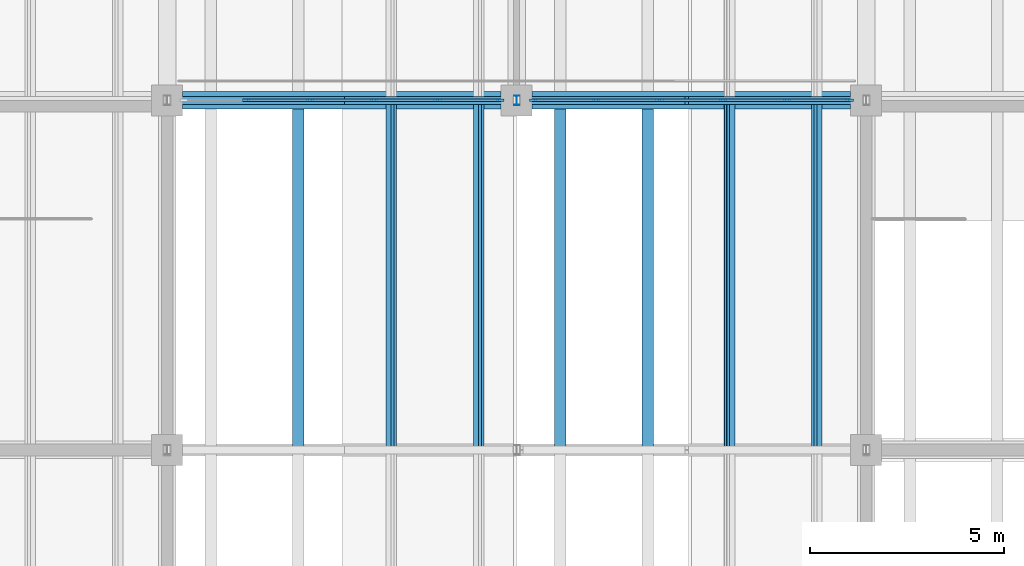
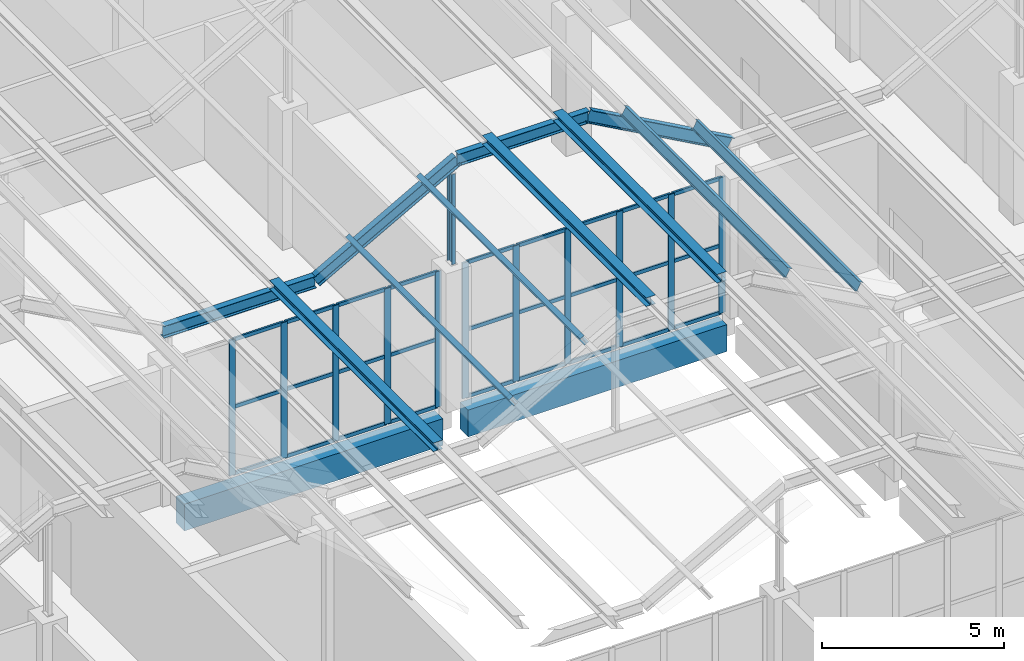
# One storey, part 37 of 437: 50 members, 2 beams, 2 elements without a shape of their own.
"""IFC4 building model written with IfcOpenShell, lengths in metres."""

from ifc_helpers import new_model, si_unit, direction, frame, origin, origin_2d, place, context, subcontext, project, spatial, rectangle, i_section, extrude, material, layer, layer_set, material_profile, profile_set, type_object, element, aggregate, save


model = new_model("IFC4")

# Units and contexts
model_context = context("Model", 3, precision=1e-05, world=origin(), true_north=direction((0.0, 1.0)))
body_context = subcontext(model_context, "Body", "Model", "MODEL_VIEW")
ifc_project = project(units=[si_unit("LENGTHUNIT", "METRE"), si_unit("AREAUNIT", "SQUARE_METRE"), si_unit("VOLUMEUNIT", "CUBIC_METRE"), si_unit("PLANEANGLEUNIT", "RADIAN"), si_unit("MASSUNIT", "GRAM", prefix="KILO")], contexts=[model_context])

# Site, building, storey
site_placement = place(None, origin())
site = spatial("IfcSite", under=ifc_project, at=site_placement, CompositionType="ELEMENT")
building_placement = place(site_placement, origin())
building = spatial("IfcBuilding", under=site, at=building_placement, Name="Opaline Strait Convention Centre", CompositionType="ELEMENT")
storey_placement = place(building_placement, frame((0.0, 0.0, 11.5)))
storey = spatial("IfcBuildingStorey", under=building, at=storey_placement, Name="L02", CompositionType="ELEMENT", Elevation=11.5)

# Members
ifc_material_1 = material(Name="Steel Q355B", Category="steel")
ifc_material_profile_1 = material_profile(ifc_material_1, i_section(OverallWidth=0.300048828125, OverallDepth=0.300048828125, WebThickness=0.010009765625, FlangeThickness=0.014892578125, FilletRadius=0.012939453125, at=origin_2d()), Name="HW 300x300x10x15")
ifc_profile_set_1 = profile_set([ifc_material_profile_1], Name="Steel Q355B")
member_type_1 = type_object("IfcMemberType", Name="Crest purlin HW 300x300x10x15", PredefinedType="PURLIN", material=ifc_profile_set_1)
for number, where, z_axis, x_axis, name in (
    (1, (39.375, 54.0, 5.949951171875), (0.0, 1.0, 0.0), (-1.0, 0.0, 0.0), "RU1 purlin facet 7 line 2"),
    (2, (46.125, 54.0, 8.449951171875), (0.0, 1.0, 0.0), (-1.0, 0.0, 0.0), "RU1 purlin facet 9 line 1"),
    (3, (48.375, 54.0, 8.449951171875), (0.0, 1.0, 0.0), (-1.0, 0.0, 0.0), "RU1 purlin facet 9 line 2"),
):
    element("IfcMember", number, at=place(storey_placement, frame(where, z_axis=z_axis, x_axis=x_axis)), inside=storey, type_object=member_type_1, Name=name, PredefinedType="PURLIN", context=body_context, shape_type="SweptSolid", body=[
        extrude(i_section(OverallWidth=0.300048828125, OverallDepth=0.300048828125, WebThickness=0.010009765625, FlangeThickness=0.014892578125, FilletRadius=0.012939453125, at=origin_2d()), origin(), (0.0, 0.0, 1.0), 9.0),
    ])

# Curtain wall, members
ifc_material_2 = material(Name="Aluminium framed double glazing", Category="aluminium")
ifc_layer = layer(ifc_material_2, 0.199951171875)
ifc_layer_set = layer_set([ifc_layer], Name="Aluminium framed double glazing")
curtain_wall_type = type_object("IfcCurtainWallType", Name="Curtain wall 1500 module", PredefinedType="NOTDEFINED", material=ifc_layer_set)
curtain_wall_1_placement = place(storey_placement, origin())
curtain_wall_1 = element("IfcCurtainWall", 4, at=curtain_wall_1_placement, inside=storey, type_object=curtain_wall_type, Name="L02 court glazing Nc 1", PredefinedType="NOTDEFINED")
ifc_material_3 = material(Name="Aluminium alloy 6063", Category="aluminium")
ifc_material_profile_2 = material_profile(ifc_material_3, rectangle(XDim=0.06005859375, YDim=0.199951171875, at=origin_2d()), Name="Curtain wall mullion 60x200")
ifc_profile_set_2 = profile_set([ifc_material_profile_2], Name="Aluminium alloy 6063")
member_type_2 = type_object("IfcMemberType", Name="Curtain wall mullion 60x200", PredefinedType="MULLION", material=ifc_profile_set_2)
member_1_placement = place(storey_placement, frame((38.0400390625, 63.0, 0.0), z_axis=(0.0, 0.0, 1.0), x_axis=(0.0, 1.0, 0.0)))
member_1 = element("IfcMember", 5, at=member_1_placement, type_object=member_type_2, Name="RCW1 mullion 2", PredefinedType="MULLION", context=body_context, shape_type="SweptSolid", body=[
    extrude(rectangle(XDim=0.06005859375, YDim=0.199951171875, at=origin_2d()), origin(), (0.0, 0.0, 1.0), 4.550048828125),
])
member_2_placement = place(storey_placement, frame((39.679931640625, 63.0, 0.0), z_axis=(0.0, 0.0, 1.0), x_axis=(0.0, 1.0, 0.0)))
member_2 = element("IfcMember", 6, at=member_2_placement, type_object=member_type_2, Name="RCW1 mullion 3", PredefinedType="MULLION", context=body_context, shape_type="SweptSolid", body=[
    extrude(rectangle(XDim=0.06005859375, YDim=0.199951171875, at=origin_2d()), origin(), (0.0, 0.0, 1.0), 4.550048828125),
])
member_3_placement = place(storey_placement, frame((41.320068359375, 63.0, 0.0), z_axis=(0.0, 0.0, 1.0), x_axis=(0.0, 1.0, 0.0)))
member_3 = element("IfcMember", 7, at=member_3_placement, type_object=member_type_2, Name="RCW1 mullion 4", PredefinedType="MULLION", context=body_context, shape_type="SweptSolid", body=[
    extrude(rectangle(XDim=0.06005859375, YDim=0.199951171875, at=origin_2d()), origin(), (0.0, 0.0, 1.0), 4.550048828125),
])
member_4_placement = place(storey_placement, frame((42.9599609375, 63.0, 0.0), z_axis=(0.0, 0.0, 1.0), x_axis=(0.0, 1.0, 0.0)))
member_4 = element("IfcMember", 8, at=member_4_placement, type_object=member_type_2, Name="RCW1 mullion 5", PredefinedType="MULLION", context=body_context, shape_type="SweptSolid", body=[
    extrude(rectangle(XDim=0.06005859375, YDim=0.199951171875, at=origin_2d()), origin(), (0.0, 0.0, 1.0), 4.550048828125),
])
member_5_placement = place(storey_placement, frame((44.570068359375, 63.0, 0.0), z_axis=(0.0, 0.0, 1.0), x_axis=(0.0, 1.0, 0.0)))
member_5 = element("IfcMember", 9, at=member_5_placement, type_object=member_type_2, Name="RCW1 mullion 6", PredefinedType="MULLION", context=body_context, shape_type="SweptSolid", body=[
    extrude(rectangle(XDim=0.06005859375, YDim=0.199951171875, at=origin_2d()), origin(), (0.0, 0.0, 1.0), 4.550048828125),
])

curtain_wall_2_placement = place(storey_placement, origin())
curtain_wall_2 = element("IfcCurtainWall", 10, at=curtain_wall_2_placement, inside=storey, type_object=curtain_wall_type, Name="L02 court glazing Nc 2", PredefinedType="NOTDEFINED")
member_6_placement = place(storey_placement, frame((45.429931640625, 63.0, 0.0), z_axis=(0.0, 0.0, 1.0), x_axis=(0.0, 1.0, 0.0)))
member_6 = element("IfcMember", 11, at=member_6_placement, type_object=member_type_2, Name="RCW1 mullion 1", PredefinedType="MULLION", context=body_context, shape_type="SweptSolid", body=[
    extrude(rectangle(XDim=0.06005859375, YDim=0.199951171875, at=origin_2d()), origin(), (0.0, 0.0, 1.0), 4.550048828125),
])
member_7_placement = place(storey_placement, frame((47.0400390625, 63.0, 0.0), z_axis=(0.0, 0.0, 1.0), x_axis=(0.0, 1.0, 0.0)))
member_7 = element("IfcMember", 12, at=member_7_placement, type_object=member_type_2, Name="RCW1 mullion 2", PredefinedType="MULLION", context=body_context, shape_type="SweptSolid", body=[
    extrude(rectangle(XDim=0.06005859375, YDim=0.199951171875, at=origin_2d()), origin(), (0.0, 0.0, 1.0), 4.550048828125),
])
member_8_placement = place(storey_placement, frame((48.679931640625, 63.0, 0.0), z_axis=(0.0, 0.0, 1.0), x_axis=(0.0, 1.0, 0.0)))
member_8 = element("IfcMember", 13, at=member_8_placement, type_object=member_type_2, Name="RCW1 mullion 3", PredefinedType="MULLION", context=body_context, shape_type="SweptSolid", body=[
    extrude(rectangle(XDim=0.06005859375, YDim=0.199951171875, at=origin_2d()), origin(), (0.0, 0.0, 1.0), 4.550048828125),
])
member_9_placement = place(storey_placement, frame((50.320068359375, 63.0, 0.0), z_axis=(0.0, 0.0, 1.0), x_axis=(0.0, 1.0, 0.0)))
member_9 = element("IfcMember", 14, at=member_9_placement, type_object=member_type_2, Name="RCW1 mullion 4", PredefinedType="MULLION", context=body_context, shape_type="SweptSolid", body=[
    extrude(rectangle(XDim=0.06005859375, YDim=0.199951171875, at=origin_2d()), origin(), (0.0, 0.0, 1.0), 4.550048828125),
])
member_10_placement = place(storey_placement, frame((51.9599609375, 63.0, 0.0), z_axis=(0.0, 0.0, 1.0), x_axis=(0.0, 1.0, 0.0)))
member_10 = element("IfcMember", 15, at=member_10_placement, type_object=member_type_2, Name="RCW1 mullion 5", PredefinedType="MULLION", context=body_context, shape_type="SweptSolid", body=[
    extrude(rectangle(XDim=0.06005859375, YDim=0.199951171875, at=origin_2d()), origin(), (0.0, 0.0, 1.0), 4.550048828125),
])
member_11_placement = place(storey_placement, frame((53.570068359375, 63.0, 0.0), z_axis=(0.0, 0.0, 1.0), x_axis=(0.0, 1.0, 0.0)))
member_11 = element("IfcMember", 16, at=member_11_placement, type_object=member_type_2, Name="RCW1 mullion 6", PredefinedType="MULLION", context=body_context, shape_type="SweptSolid", body=[
    extrude(rectangle(XDim=0.06005859375, YDim=0.199951171875, at=origin_2d()), origin(), (0.0, 0.0, 1.0), 4.550048828125),
])

# Member
ifc_material_profile_3 = material_profile(ifc_material_3, rectangle(XDim=0.06005859375, YDim=0.1201171875, at=origin_2d()), Name="Curtain wall transom 60x120")
ifc_profile_set_3 = profile_set([ifc_material_profile_3], Name="Aluminium alloy 6063")
member_type_3 = type_object("IfcMemberType", Name="Curtain wall transom 60x120", PredefinedType="USERDEFINED", material=ifc_profile_set_3)
member_12_placement = place(storey_placement, frame((38.06982421875, 63.0, 0.030029296875), z_axis=(1.0, 0.0, 0.0), x_axis=(0.0, 1.0, 0.0)))
member_12 = element("IfcMember", 17, at=member_12_placement, type_object=member_type_3, Name="RCW1 transom 2.1", ObjectType="TRANSOM", PredefinedType="USERDEFINED", context=body_context, shape_type="SweptSolid", body=[
    extrude(rectangle(XDim=0.06005859375, YDim=0.1201171875, at=origin_2d()), origin(), (0.0, 0.0, 1.0), 1.580078125),
])

member_13_placement = place(storey_placement, frame((38.06982421875, 63.0, 2.27490234375), z_axis=(1.0, 0.0, 0.0), x_axis=(0.0, 1.0, 0.0)))
member_13 = element("IfcMember", 18, at=member_13_placement, type_object=member_type_3, Name="RCW1 transom 2.2", ObjectType="TRANSOM", PredefinedType="USERDEFINED", context=body_context, shape_type="SweptSolid", body=[
    extrude(rectangle(XDim=0.06005859375, YDim=0.1201171875, at=origin_2d()), origin(), (0.0, 0.0, 1.0), 1.580078125),
])

member_14_placement = place(storey_placement, frame((38.06982421875, 63.0, 4.52001953125), z_axis=(1.0, 0.0, 0.0), x_axis=(0.0, 1.0, 0.0)))
member_14 = element("IfcMember", 19, at=member_14_placement, type_object=member_type_3, Name="RCW1 transom 2.3", ObjectType="TRANSOM", PredefinedType="USERDEFINED", context=body_context, shape_type="SweptSolid", body=[
    extrude(rectangle(XDim=0.06005859375, YDim=0.1201171875, at=origin_2d()), origin(), (0.0, 0.0, 1.0), 1.580078125),
])

member_15_placement = place(storey_placement, frame((39.7099609375, 63.0, 0.030029296875), z_axis=(1.0, 0.0, 0.0), x_axis=(0.0, 1.0, 0.0)))
member_15 = element("IfcMember", 20, at=member_15_placement, type_object=member_type_3, Name="RCW1 transom 3.1", ObjectType="TRANSOM", PredefinedType="USERDEFINED", context=body_context, shape_type="SweptSolid", body=[
    extrude(rectangle(XDim=0.06005859375, YDim=0.1201171875, at=origin_2d()), origin(), (0.0, 0.0, 1.0), 1.580078125),
])

member_16_placement = place(storey_placement, frame((39.7099609375, 63.0, 2.27490234375), z_axis=(1.0, 0.0, 0.0), x_axis=(0.0, 1.0, 0.0)))
member_16 = element("IfcMember", 21, at=member_16_placement, type_object=member_type_3, Name="RCW1 transom 3.2", ObjectType="TRANSOM", PredefinedType="USERDEFINED", context=body_context, shape_type="SweptSolid", body=[
    extrude(rectangle(XDim=0.06005859375, YDim=0.1201171875, at=origin_2d()), origin(), (0.0, 0.0, 1.0), 1.580078125),
])

member_17_placement = place(storey_placement, frame((39.7099609375, 63.0, 4.52001953125), z_axis=(1.0, 0.0, 0.0), x_axis=(0.0, 1.0, 0.0)))
member_17 = element("IfcMember", 22, at=member_17_placement, type_object=member_type_3, Name="RCW1 transom 3.3", ObjectType="TRANSOM", PredefinedType="USERDEFINED", context=body_context, shape_type="SweptSolid", body=[
    extrude(rectangle(XDim=0.06005859375, YDim=0.1201171875, at=origin_2d()), origin(), (0.0, 0.0, 1.0), 1.580078125),
])

member_18_placement = place(storey_placement, frame((41.35009765625, 63.0, 0.030029296875), z_axis=(1.0, 0.0, 0.0), x_axis=(0.0, 1.0, 0.0)))
member_18 = element("IfcMember", 23, at=member_18_placement, type_object=member_type_3, Name="RCW1 transom 4.1", ObjectType="TRANSOM", PredefinedType="USERDEFINED", context=body_context, shape_type="SweptSolid", body=[
    extrude(rectangle(XDim=0.06005859375, YDim=0.1201171875, at=origin_2d()), origin(), (0.0, 0.0, 1.0), 1.580078125),
])

member_19_placement = place(storey_placement, frame((41.35009765625, 63.0, 2.27490234375), z_axis=(1.0, 0.0, 0.0), x_axis=(0.0, 1.0, 0.0)))
member_19 = element("IfcMember", 24, at=member_19_placement, type_object=member_type_3, Name="RCW1 transom 4.2", ObjectType="TRANSOM", PredefinedType="USERDEFINED", context=body_context, shape_type="SweptSolid", body=[
    extrude(rectangle(XDim=0.06005859375, YDim=0.1201171875, at=origin_2d()), origin(), (0.0, 0.0, 1.0), 1.580078125),
])

member_20_placement = place(storey_placement, frame((41.35009765625, 63.0, 4.52001953125), z_axis=(1.0, 0.0, 0.0), x_axis=(0.0, 1.0, 0.0)))
member_20 = element("IfcMember", 25, at=member_20_placement, type_object=member_type_3, Name="RCW1 transom 4.3", ObjectType="TRANSOM", PredefinedType="USERDEFINED", context=body_context, shape_type="SweptSolid", body=[
    extrude(rectangle(XDim=0.06005859375, YDim=0.1201171875, at=origin_2d()), origin(), (0.0, 0.0, 1.0), 1.580078125),
])

member_21_placement = place(storey_placement, frame((42.989990234375, 63.0, 0.030029296875), z_axis=(1.0, 0.0, 0.0), x_axis=(0.0, 1.0, 0.0)))
member_21 = element("IfcMember", 26, at=member_21_placement, type_object=member_type_3, Name="RCW1 transom 5.1", ObjectType="TRANSOM", PredefinedType="USERDEFINED", context=body_context, shape_type="SweptSolid", body=[
    extrude(rectangle(XDim=0.06005859375, YDim=0.1201171875, at=origin_2d()), origin(), (0.0, 0.0, 1.0), 1.550048828125),
])

member_22_placement = place(storey_placement, frame((42.989990234375, 63.0, 2.27490234375), z_axis=(1.0, 0.0, 0.0), x_axis=(0.0, 1.0, 0.0)))
member_22 = element("IfcMember", 27, at=member_22_placement, type_object=member_type_3, Name="RCW1 transom 5.2", ObjectType="TRANSOM", PredefinedType="USERDEFINED", context=body_context, shape_type="SweptSolid", body=[
    extrude(rectangle(XDim=0.06005859375, YDim=0.1201171875, at=origin_2d()), origin(), (0.0, 0.0, 1.0), 1.550048828125),
])

member_23_placement = place(storey_placement, frame((42.989990234375, 63.0, 4.52001953125), z_axis=(1.0, 0.0, 0.0), x_axis=(0.0, 1.0, 0.0)))
member_23 = element("IfcMember", 28, at=member_23_placement, type_object=member_type_3, Name="RCW1 transom 5.3", ObjectType="TRANSOM", PredefinedType="USERDEFINED", context=body_context, shape_type="SweptSolid", body=[
    extrude(rectangle(XDim=0.06005859375, YDim=0.1201171875, at=origin_2d()), origin(), (0.0, 0.0, 1.0), 1.550048828125),
])

aggregate(curtain_wall_1, [member_1, member_2, member_3, member_4, member_5, member_12, member_13, member_14, member_15, member_16, member_17, member_18, member_19, member_20, member_21, member_22, member_23])

member_24_placement = place(storey_placement, frame((45.4599609375, 63.0, 0.030029296875), z_axis=(1.0, 0.0, 0.0), x_axis=(0.0, 1.0, 0.0)))
member_24 = element("IfcMember", 29, at=member_24_placement, type_object=member_type_3, Name="RCW1 transom 1.1", ObjectType="TRANSOM", PredefinedType="USERDEFINED", context=body_context, shape_type="SweptSolid", body=[
    extrude(rectangle(XDim=0.06005859375, YDim=0.1201171875, at=origin_2d()), origin(), (0.0, 0.0, 1.0), 1.550048828125),
])

member_25_placement = place(storey_placement, frame((45.4599609375, 63.0, 2.27490234375), z_axis=(1.0, 0.0, 0.0), x_axis=(0.0, 1.0, 0.0)))
member_25 = element("IfcMember", 30, at=member_25_placement, type_object=member_type_3, Name="RCW1 transom 1.2", ObjectType="TRANSOM", PredefinedType="USERDEFINED", context=body_context, shape_type="SweptSolid", body=[
    extrude(rectangle(XDim=0.06005859375, YDim=0.1201171875, at=origin_2d()), origin(), (0.0, 0.0, 1.0), 1.550048828125),
])

member_26_placement = place(storey_placement, frame((45.4599609375, 63.0, 4.52001953125), z_axis=(1.0, 0.0, 0.0), x_axis=(0.0, 1.0, 0.0)))
member_26 = element("IfcMember", 31, at=member_26_placement, type_object=member_type_3, Name="RCW1 transom 1.3", ObjectType="TRANSOM", PredefinedType="USERDEFINED", context=body_context, shape_type="SweptSolid", body=[
    extrude(rectangle(XDim=0.06005859375, YDim=0.1201171875, at=origin_2d()), origin(), (0.0, 0.0, 1.0), 1.550048828125),
])

member_27_placement = place(storey_placement, frame((47.06982421875, 63.0, 0.030029296875), z_axis=(1.0, 0.0, 0.0), x_axis=(0.0, 1.0, 0.0)))
member_27 = element("IfcMember", 32, at=member_27_placement, type_object=member_type_3, Name="RCW1 transom 2.1", ObjectType="TRANSOM", PredefinedType="USERDEFINED", context=body_context, shape_type="SweptSolid", body=[
    extrude(rectangle(XDim=0.06005859375, YDim=0.1201171875, at=origin_2d()), origin(), (0.0, 0.0, 1.0), 1.580078125),
])

member_28_placement = place(storey_placement, frame((47.06982421875, 63.0, 2.27490234375), z_axis=(1.0, 0.0, 0.0), x_axis=(0.0, 1.0, 0.0)))
member_28 = element("IfcMember", 33, at=member_28_placement, type_object=member_type_3, Name="RCW1 transom 2.2", ObjectType="TRANSOM", PredefinedType="USERDEFINED", context=body_context, shape_type="SweptSolid", body=[
    extrude(rectangle(XDim=0.06005859375, YDim=0.1201171875, at=origin_2d()), origin(), (0.0, 0.0, 1.0), 1.580078125),
])

member_29_placement = place(storey_placement, frame((47.06982421875, 63.0, 4.52001953125), z_axis=(1.0, 0.0, 0.0), x_axis=(0.0, 1.0, 0.0)))
member_29 = element("IfcMember", 34, at=member_29_placement, type_object=member_type_3, Name="RCW1 transom 2.3", ObjectType="TRANSOM", PredefinedType="USERDEFINED", context=body_context, shape_type="SweptSolid", body=[
    extrude(rectangle(XDim=0.06005859375, YDim=0.1201171875, at=origin_2d()), origin(), (0.0, 0.0, 1.0), 1.580078125),
])

member_30_placement = place(storey_placement, frame((48.7099609375, 63.0, 0.030029296875), z_axis=(1.0, 0.0, 0.0), x_axis=(0.0, 1.0, 0.0)))
member_30 = element("IfcMember", 35, at=member_30_placement, type_object=member_type_3, Name="RCW1 transom 3.1", ObjectType="TRANSOM", PredefinedType="USERDEFINED", context=body_context, shape_type="SweptSolid", body=[
    extrude(rectangle(XDim=0.06005859375, YDim=0.1201171875, at=origin_2d()), origin(), (0.0, 0.0, 1.0), 1.580078125),
])

member_31_placement = place(storey_placement, frame((48.7099609375, 63.0, 2.27490234375), z_axis=(1.0, 0.0, 0.0), x_axis=(0.0, 1.0, 0.0)))
member_31 = element("IfcMember", 36, at=member_31_placement, type_object=member_type_3, Name="RCW1 transom 3.2", ObjectType="TRANSOM", PredefinedType="USERDEFINED", context=body_context, shape_type="SweptSolid", body=[
    extrude(rectangle(XDim=0.06005859375, YDim=0.1201171875, at=origin_2d()), origin(), (0.0, 0.0, 1.0), 1.580078125),
])

member_32_placement = place(storey_placement, frame((48.7099609375, 63.0, 4.52001953125), z_axis=(1.0, 0.0, 0.0), x_axis=(0.0, 1.0, 0.0)))
member_32 = element("IfcMember", 37, at=member_32_placement, type_object=member_type_3, Name="RCW1 transom 3.3", ObjectType="TRANSOM", PredefinedType="USERDEFINED", context=body_context, shape_type="SweptSolid", body=[
    extrude(rectangle(XDim=0.06005859375, YDim=0.1201171875, at=origin_2d()), origin(), (0.0, 0.0, 1.0), 1.580078125),
])

member_33_placement = place(storey_placement, frame((50.35009765625, 63.0, 0.030029296875), z_axis=(1.0, 0.0, 0.0), x_axis=(0.0, 1.0, 0.0)))
member_33 = element("IfcMember", 38, at=member_33_placement, type_object=member_type_3, Name="RCW1 transom 4.1", ObjectType="TRANSOM", PredefinedType="USERDEFINED", context=body_context, shape_type="SweptSolid", body=[
    extrude(rectangle(XDim=0.06005859375, YDim=0.1201171875, at=origin_2d()), origin(), (0.0, 0.0, 1.0), 1.580078125),
])

member_34_placement = place(storey_placement, frame((50.35009765625, 63.0, 2.27490234375), z_axis=(1.0, 0.0, 0.0), x_axis=(0.0, 1.0, 0.0)))
member_34 = element("IfcMember", 39, at=member_34_placement, type_object=member_type_3, Name="RCW1 transom 4.2", ObjectType="TRANSOM", PredefinedType="USERDEFINED", context=body_context, shape_type="SweptSolid", body=[
    extrude(rectangle(XDim=0.06005859375, YDim=0.1201171875, at=origin_2d()), origin(), (0.0, 0.0, 1.0), 1.580078125),
])

member_35_placement = place(storey_placement, frame((50.35009765625, 63.0, 4.52001953125), z_axis=(1.0, 0.0, 0.0), x_axis=(0.0, 1.0, 0.0)))
member_35 = element("IfcMember", 40, at=member_35_placement, type_object=member_type_3, Name="RCW1 transom 4.3", ObjectType="TRANSOM", PredefinedType="USERDEFINED", context=body_context, shape_type="SweptSolid", body=[
    extrude(rectangle(XDim=0.06005859375, YDim=0.1201171875, at=origin_2d()), origin(), (0.0, 0.0, 1.0), 1.580078125),
])

member_36_placement = place(storey_placement, frame((51.989990234375, 63.0, 0.030029296875), z_axis=(1.0, 0.0, 0.0), x_axis=(0.0, 1.0, 0.0)))
member_36 = element("IfcMember", 41, at=member_36_placement, type_object=member_type_3, Name="RCW1 transom 5.1", ObjectType="TRANSOM", PredefinedType="USERDEFINED", context=body_context, shape_type="SweptSolid", body=[
    extrude(rectangle(XDim=0.06005859375, YDim=0.1201171875, at=origin_2d()), origin(), (0.0, 0.0, 1.0), 1.550048828125),
])

member_37_placement = place(storey_placement, frame((51.989990234375, 63.0, 2.27490234375), z_axis=(1.0, 0.0, 0.0), x_axis=(0.0, 1.0, 0.0)))
member_37 = element("IfcMember", 42, at=member_37_placement, type_object=member_type_3, Name="RCW1 transom 5.2", ObjectType="TRANSOM", PredefinedType="USERDEFINED", context=body_context, shape_type="SweptSolid", body=[
    extrude(rectangle(XDim=0.06005859375, YDim=0.1201171875, at=origin_2d()), origin(), (0.0, 0.0, 1.0), 1.550048828125),
])

member_38_placement = place(storey_placement, frame((51.989990234375, 63.0, 4.52001953125), z_axis=(1.0, 0.0, 0.0), x_axis=(0.0, 1.0, 0.0)))
member_38 = element("IfcMember", 43, at=member_38_placement, type_object=member_type_3, Name="RCW1 transom 5.3", ObjectType="TRANSOM", PredefinedType="USERDEFINED", context=body_context, shape_type="SweptSolid", body=[
    extrude(rectangle(XDim=0.06005859375, YDim=0.1201171875, at=origin_2d()), origin(), (0.0, 0.0, 1.0), 1.550048828125),
])

aggregate(curtain_wall_2, [member_6, member_7, member_8, member_9, member_10, member_11, member_24, member_25, member_26, member_27, member_28, member_29, member_30, member_31, member_32, member_33, member_34, member_35, member_36, member_37, member_38])

# Beams
ifc_material_4 = material(Name="Concrete C35", Category="concrete")
ifc_material_profile_4 = material_profile(ifc_material_4, rectangle(XDim=0.449951171875, YDim=0.89990234375, at=origin_2d()), Name="RC 450x900")
ifc_profile_set_4 = profile_set([ifc_material_profile_4], Name="Concrete C35")
beam_type = type_object("IfcBeamType", Name="RC beam 450x900 C35", PredefinedType="BEAM", material=ifc_profile_set_4)
for number, where, z_axis, x_axis, name in (
    (44, (36.39990234375, 63.0, -0.72998046875), (1.0, 0.0, 0.0), (0.0, 1.0, 0.0), "XB1 L02 36/63-45/63"),
    (45, (45.39990234375, 63.0, -0.72998046875), (1.0, 0.0, 0.0), (0.0, 1.0, 0.0), "XB1 L02 45/63-54/63"),
):
    element("IfcBeam", number, at=place(storey_placement, frame(where, z_axis=z_axis, x_axis=x_axis)), inside=storey, type_object=beam_type, Name=name, PredefinedType="BEAM", context=body_context, shape_type="SweptSolid", body=[
        extrude(rectangle(XDim=0.449951171875, YDim=0.89990234375, at=origin_2d()), origin(), (0.0, 0.0, 1.0), 8.2001953125),
    ])

# Members
ifc_material_profile_5 = material_profile(ifc_material_1, i_section(OverallWidth=0.125, OverallDepth=0.25, WebThickness=0.006103515625, FlangeThickness=0.009033203125, FilletRadius=0.008056640625, at=origin_2d()), Name="HN 250x125x6x9")
ifc_profile_set_5 = profile_set([ifc_material_profile_5], Name="Steel Q355B")
member_type_4 = type_object("IfcMemberType", Name="Roof post HN 250x125x6x9", PredefinedType="STRUT", material=ifc_profile_set_5)
member_39_placement = place(storey_placement, frame((45.0, 63.0, 4.68994140625), z_axis=(0.0, 0.0, 1.0), x_axis=(1.0, 0.0, 0.0)))
element("IfcMember", 46, at=member_39_placement, inside=storey, type_object=member_type_4, Name="RP1 roof post at 45/63", PredefinedType="STRUT", context=body_context, shape_type="SweptSolid", body=[
    extrude(i_section(OverallWidth=0.125, OverallDepth=0.25, WebThickness=0.006103515625, FlangeThickness=0.009033203125, FilletRadius=0.008056640625, at=origin_2d()), origin(), (0.0, 0.0, 1.0), 3.031005859375),
])
ifc_material_profile_6 = material_profile(ifc_material_1, i_section(OverallWidth=0.14990234375, OverallDepth=0.300048828125, WebThickness=0.006591796875, FlangeThickness=0.009033203125, FilletRadius=0.012939453125, at=origin_2d()), Name="HN 300x150x6.5x9")
ifc_profile_set_6 = profile_set([ifc_material_profile_6], Name="Steel Q355B")
member_type_5 = type_object("IfcMemberType", Name="Roof purlin HN 300x150x6.5x9", PredefinedType="PURLIN", material=ifc_profile_set_6)
for number, where, z_axis, x_axis, name in (
    (47, (41.770751953125, 54.0, 6.61279296875), (0.0, 1.0, 0.0), (-0.874157310866, 0.0, -0.485642868639), "RU1 purlin facet 8 line 1"),
    (48, (44.020751953125, 54.0, 7.86279296875), (0.0, 1.0, 0.0), (-0.874157310866, 0.0, -0.485642868639), "RU1 purlin facet 8 line 2"),
    (49, (50.479248046875, 54.0, 7.86279296875), (0.0, 1.0, 0.0), (-0.874157310866, 0.0, 0.485642868639), "RU1 purlin facet 10 line 1"),
    (50, (52.729248046875, 54.0, 6.61279296875), (0.0, 1.0, 0.0), (-0.874157310866, 0.0, 0.485642868639), "RU1 purlin facet 10 line 2"),
):
    element("IfcMember", number, at=place(storey_placement, frame(where, z_axis=z_axis, x_axis=x_axis)), inside=storey, type_object=member_type_5, Name=name, PredefinedType="PURLIN", context=body_context, shape_type="SweptSolid", body=[
        extrude(i_section(OverallWidth=0.14990234375, OverallDepth=0.300048828125, WebThickness=0.006591796875, FlangeThickness=0.009033203125, FilletRadius=0.012939453125, at=origin_2d()), origin(), (0.0, 0.0, 1.0), 9.0),
    ])
ifc_material_profile_7 = material_profile(ifc_material_1, i_section(OverallWidth=0.199951171875, OverallDepth=0.39990234375, WebThickness=0.008056640625, FlangeThickness=0.012939453125, FilletRadius=0.012939453125, at=origin_2d()), Name="HN 400x200x8x13")
ifc_profile_set_7 = profile_set([ifc_material_profile_7], Name="Steel Q355B")
member_type_6 = type_object("IfcMemberType", Name="Roof rafter HN 400x200x8x13", PredefinedType="RAFTER", material=ifc_profile_set_7)
member_40_placement = place(storey_placement, frame((35.83154296875, 63.0, 5.60009765625), z_axis=(1.0, 0.0, 0.0), x_axis=(0.0, 1.0, 0.0)))
element("IfcMember", 51, at=member_40_placement, inside=storey, type_object=member_type_6, Name="RR1 rafter line 7 facet 8", PredefinedType="RAFTER", context=body_context, shape_type="SweptSolid", body=[
    extrude(i_section(OverallWidth=0.199951171875, OverallDepth=0.39990234375, WebThickness=0.008056640625, FlangeThickness=0.012939453125, FilletRadius=0.012939453125, at=origin_2d()), origin(), (0.0, 0.0, 1.0), 4.8369140625),
])
member_41_placement = place(storey_placement, frame((40.66845703125, 63.0, 5.60009765625), z_axis=(0.874157276122, 0.0, 0.485642931179), x_axis=(0.0, 1.0, 0.0)))
element("IfcMember", 52, at=member_41_placement, inside=storey, type_object=member_type_6, Name="RR1 rafter line 7 facet 9", PredefinedType="RAFTER", context=body_context, shape_type="SweptSolid", body=[
    extrude(i_section(OverallWidth=0.199951171875, OverallDepth=0.39990234375, WebThickness=0.008056640625, FlangeThickness=0.012939453125, FilletRadius=0.012939453125, at=origin_2d()), origin(), (0.0, 0.0, 1.0), 5.147705078125),
])
member_42_placement = place(storey_placement, frame((45.16845703125, 63.0, 8.10009765625), z_axis=(1.0, 0.0, 0.0), x_axis=(0.0, 1.0, 0.0)))
element("IfcMember", 53, at=member_42_placement, inside=storey, type_object=member_type_6, Name="RR1 rafter line 7 facet 10", PredefinedType="RAFTER", context=body_context, shape_type="SweptSolid", body=[
    extrude(i_section(OverallWidth=0.199951171875, OverallDepth=0.39990234375, WebThickness=0.008056640625, FlangeThickness=0.012939453125, FilletRadius=0.012939453125, at=origin_2d()), origin(), (0.0, 0.0, 1.0), 4.1630859375),
])
member_43_placement = place(storey_placement, frame((49.33154296875, 63.0, 8.10009765625), z_axis=(0.874157276122, 0.0, -0.485642931179), x_axis=(0.0, 1.0, 0.0)))
element("IfcMember", 54, at=member_43_placement, inside=storey, type_object=member_type_6, Name="RR1 rafter line 7 facet 11", PredefinedType="RAFTER", context=body_context, shape_type="SweptSolid", body=[
    extrude(i_section(OverallWidth=0.199951171875, OverallDepth=0.39990234375, WebThickness=0.008056640625, FlangeThickness=0.012939453125, FilletRadius=0.012939453125, at=origin_2d()), origin(), (0.0, 0.0, 1.0), 5.147705078125),
])

save(model, "model.ifc")
